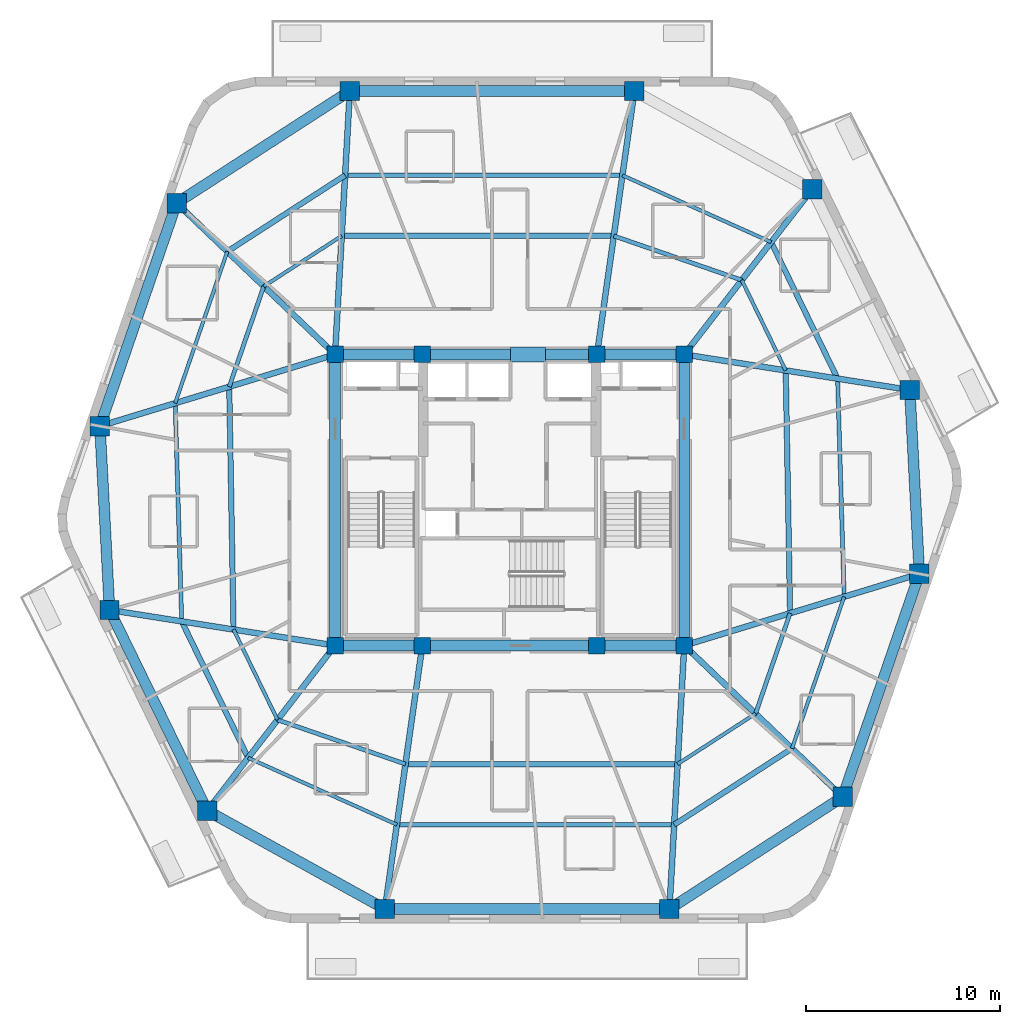
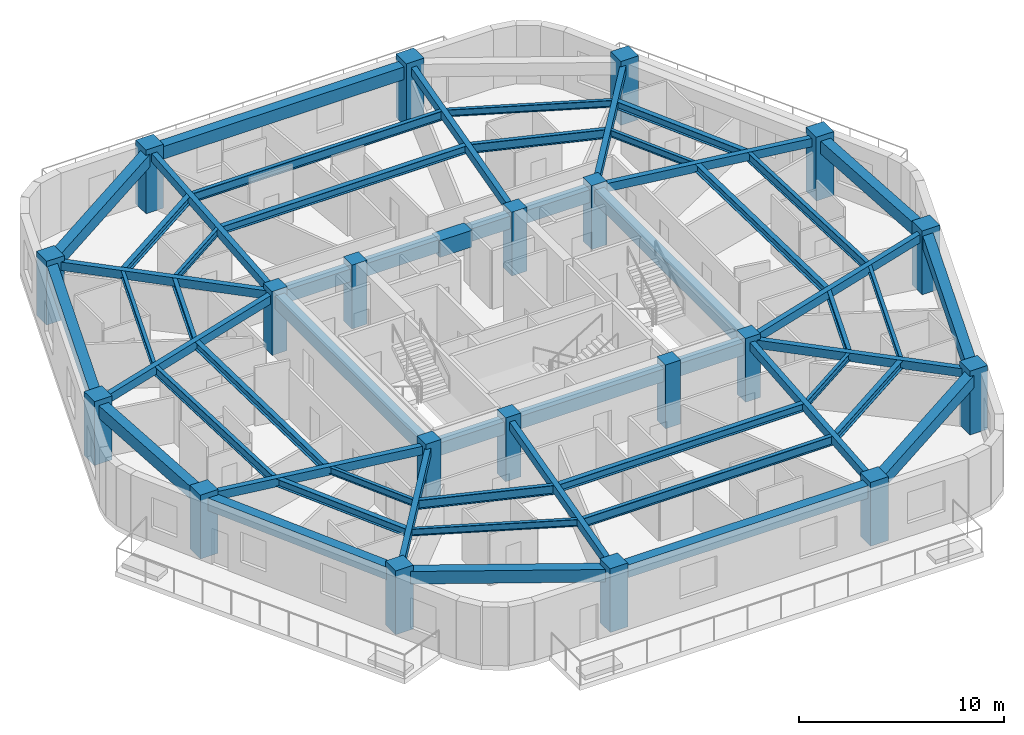
# One storey, part 1 of 10: 55 beams, 20 columns.
"""IFC4 building model written with IfcOpenShell, lengths in metres."""

from ifc_helpers import new_model, si_unit, direction, frame, origin, origin_2d, place, context, subcontext, project, spatial, rectangle, i_section, extrude, material, material_profile, profile_set, type_object, element, save


model = new_model("IFC4")

# Units and contexts
model_context = context("Model", 3, precision=1e-05, world=origin(), true_north=direction((0.0, 1.0)))
body_context = subcontext(model_context, "Body", "Model", "MODEL_VIEW")
ifc_project = project(units=[si_unit("LENGTHUNIT", "METRE"), si_unit("AREAUNIT", "SQUARE_METRE"), si_unit("VOLUMEUNIT", "CUBIC_METRE"), si_unit("PLANEANGLEUNIT", "RADIAN"), si_unit("MASSUNIT", "GRAM", prefix="KILO")], contexts=[model_context])

# Site, building, storey
site_placement = place(None, origin())
site = spatial("IfcSite", under=ifc_project, at=site_placement, CompositionType="ELEMENT")
building_placement = place(site_placement, origin())
building = spatial("IfcBuilding", under=site, at=building_placement, Name="Kilnhurst Terrace Hotel", CompositionType="ELEMENT")
storey_placement = place(building_placement, frame((0.0, 0.0, 252.10009765625)))
storey = spatial("IfcBuildingStorey", under=building, at=storey_placement, Name="L63", CompositionType="ELEMENT", Elevation=252.10009765625)

# Columns
ifc_material_1 = material(Name="Concrete C60/75", Category="concrete")
ifc_material_profile_1 = material_profile(ifc_material_1, rectangle(XDim=1.0, YDim=1.0, at=origin_2d()), Name="RC1000X1000")
ifc_profile_set_1 = profile_set([ifc_material_profile_1], Name="Concrete C60/75")
column_type_1 = type_object("IfcColumnType", Name="COL-RC-1000", PredefinedType="COLUMN", material=ifc_profile_set_1)
for number, where, z_axis, x_axis, name in (
    (1, (-6.429931640625, -21.080078125, 0.0), (0.0, 0.0, 1.0), (1.0, 0.0, 0.0), "L63 Structural Column PC-F11"),
    (2, (8.236083984375, -21.080078125, 0.0), (0.0, 0.0, 1.0), (1.0, 0.0, 0.0), "L63 Structural Column PC-F12"),
    (3, (17.166015625, -15.303955078125, 0.0), (0.0, 0.0, 1.0), (1.0, 0.0, 0.0), "L63 Structural Column PC-F21"),
    (4, (21.117919921875, -3.806884765625, 0.0), (0.0, 0.0, 1.0), (1.0, 0.0, 0.0), "L63 Structural Column PC-F22"),
    (5, (20.6220703125, 5.669921875, 0.0), (0.0, 0.0, 1.0), (1.0, 0.0, 0.0), "L63 Structural Column PC-F31"),
    (6, (15.5869140625, 16.012939453125, 0.0), (0.0, 0.0, 1.0), (1.0, 0.0, 0.0), "L63 Structural Column PC-F32"),
    (7, (6.429931640625, 21.080078125, 0.0), (0.0, 0.0, 1.0), (1.0, 0.0, 0.0), "L63 Structural Column PC-F41"),
    (8, (-8.236083984375, 21.080078125, 0.0), (0.0, 0.0, 1.0), (1.0, 0.0, 0.0), "L63 Structural Column PC-F42"),
    (9, (-17.166015625, 15.303955078125, 0.0), (0.0, 0.0, 1.0), (1.0, 0.0, 0.0), "L63 Structural Column PC-F51"),
    (10, (-21.117919921875, 3.806884765625, 0.0), (0.0, 0.0, 1.0), (1.0, 0.0, 0.0), "L63 Structural Column PC-F52"),
    (11, (-20.6220703125, -5.669921875, 0.0), (0.0, 0.0, 1.0), (1.0, 0.0, 0.0), "L63 Structural Column PC-F61"),
    (12, (-15.5869140625, -16.012939453125, 0.0), (0.0, 0.0, 1.0), (1.0, 0.0, 0.0), "L63 Structural Column PC-F62"),
):
    element("IfcColumn", number, at=place(storey_placement, frame(where, z_axis=z_axis, x_axis=x_axis)), inside=storey, type_object=column_type_1, Name=name, PredefinedType="COLUMN", context=body_context, shape_type="SweptSolid", body=[
        extrude(rectangle(XDim=1.0, YDim=1.0, at=origin_2d()), origin(), (0.0, 0.0, 1.0), 3.7998046875),
    ])
ifc_material_profile_2 = material_profile(ifc_material_1, rectangle(XDim=0.85009765625, YDim=0.85009765625, at=origin_2d()), Name="RC850X850")
ifc_profile_set_2 = profile_set([ifc_material_profile_2], Name="Concrete C60/75")
column_type_2 = type_object("IfcColumnType", Name="COL-RC-850", PredefinedType="COLUMN", material=ifc_profile_set_2)
for number, where, z_axis, x_axis, name in (
    (13, (-9.0, -7.5, 0.0), (0.0, 0.0, 1.0), (1.0, 0.0, 0.0), "L63 Structural Column CC-SW"),
    (14, (-4.5, -7.5, 0.0), (0.0, 0.0, 1.0), (1.0, 0.0, 0.0), "L63 Structural Column CC-SC1"),
    (15, (4.5, -7.5, 0.0), (0.0, 0.0, 1.0), (1.0, 0.0, 0.0), "L63 Structural Column CC-SC2"),
    (16, (9.0, -7.5, 0.0), (0.0, 0.0, 1.0), (1.0, 0.0, 0.0), "L63 Structural Column CC-SE"),
    (17, (9.0, 7.5, 0.0), (0.0, 0.0, 1.0), (1.0, 0.0, 0.0), "L63 Structural Column CC-NE"),
    (18, (4.5, 7.5, 0.0), (0.0, 0.0, 1.0), (1.0, 0.0, 0.0), "L63 Structural Column CC-NC2"),
    (19, (-4.5, 7.5, 0.0), (0.0, 0.0, 1.0), (1.0, 0.0, 0.0), "L63 Structural Column CC-NC1"),
    (20, (-9.0, 7.5, 0.0), (0.0, 0.0, 1.0), (1.0, 0.0, 0.0), "L63 Structural Column CC-NW"),
):
    element("IfcColumn", number, at=place(storey_placement, frame(where, z_axis=z_axis, x_axis=x_axis)), inside=storey, type_object=column_type_2, Name=name, PredefinedType="COLUMN", context=body_context, shape_type="SweptSolid", body=[
        extrude(rectangle(XDim=0.85009765625, YDim=0.85009765625, at=origin_2d()), origin(), (0.0, 0.0, 1.0), 3.7998046875),
    ])

# Beams
ifc_material_2 = material(Name="Concrete C50/60", Category="concrete")
ifc_material_profile_3 = material_profile(ifc_material_2, rectangle(XDim=0.300048828125, YDim=0.5, at=origin_2d()), Name="RC300X500")
ifc_profile_set_3 = profile_set([ifc_material_profile_3], Name="Concrete C50/60")
beam_type_1 = type_object("IfcBeamType", Name="BM-RAD-300X500", PredefinedType="BEAM", material=ifc_profile_set_3)
beam_1_placement = place(storey_placement, frame((-4.5, -7.5, 3.22998046875), z_axis=(-0.140701170889, -0.990052109997, 0.0), x_axis=(0.990052109997, -0.140701170889, 0.0)))
element("IfcBeam", 21, at=beam_1_placement, inside=storey, type_object=beam_type_1, Name="L63 Radial Floor Beam 1", PredefinedType="BEAM", context=body_context, shape_type="SweptSolid", body=[
    extrude(rectangle(XDim=0.300048828125, YDim=0.5, at=origin_2d()), origin(), (0.0, 0.0, 1.0), 13.716552734375),
])
beam_2_placement = place(storey_placement, frame((9.0, -7.5, 3.22998046875), z_axis=(-0.056163905291, -0.998421562138, 0.0), x_axis=(0.998421562138, -0.056163905291, 0.0)))
element("IfcBeam", 22, at=beam_2_placement, inside=storey, type_object=beam_type_1, Name="L63 Radial Floor Beam 2", PredefinedType="BEAM", context=body_context, shape_type="SweptSolid", body=[
    extrude(rectangle(XDim=0.300048828125, YDim=0.5, at=origin_2d()), origin(), (0.0, 0.0, 1.0), 13.6015625),
])
beam_3_placement = place(storey_placement, frame((9.0, -7.5, 3.22998046875), z_axis=(0.722952064528, -0.690898192497, 0.0), x_axis=(0.690898192497, 0.722952064528, 0.0)))
element("IfcBeam", 23, at=beam_3_placement, inside=storey, type_object=beam_type_1, Name="L63 Radial Floor Beam 3", PredefinedType="BEAM", context=body_context, shape_type="SweptSolid", body=[
    extrude(rectangle(XDim=0.300048828125, YDim=0.5, at=origin_2d()), origin(), (0.0, 0.0, 1.0), 11.29541015625),
])
beam_4_placement = place(storey_placement, frame((9.0, -7.5, 3.22998046875), z_axis=(0.956562713724, 0.291526627793, 0.0), x_axis=(-0.291526627793, 0.956562713724, 0.0)))
element("IfcBeam", 24, at=beam_4_placement, inside=storey, type_object=beam_type_1, Name="L63 Radial Floor Beam 4", PredefinedType="BEAM", context=body_context, shape_type="SweptSolid", body=[
    extrude(rectangle(XDim=0.300048828125, YDim=0.5, at=origin_2d()), origin(), (0.0, 0.0, 1.0), 12.668212890625),
])
beam_5_placement = place(storey_placement, frame((9.0, 7.5, 3.22998046875), z_axis=(0.987828160163, -0.155549111179, 0.0), x_axis=(0.155549111179, 0.987828160163, 0.0)))
element("IfcBeam", 25, at=beam_5_placement, inside=storey, type_object=beam_type_1, Name="L63 Radial Floor Beam 5", PredefinedType="BEAM", context=body_context, shape_type="SweptSolid", body=[
    extrude(rectangle(XDim=0.300048828125, YDim=0.5, at=origin_2d()), origin(), (0.0, 0.0, 1.0), 11.765380859375),
])
beam_6_placement = place(storey_placement, frame((9.0, 7.5, 3.22998046875), z_axis=(0.611955412533, 0.790892263884, 0.0), x_axis=(-0.790892263884, 0.611955412533, 0.0)))
element("IfcBeam", 26, at=beam_6_placement, inside=storey, type_object=beam_type_1, Name="L63 Radial Floor Beam 6", PredefinedType="BEAM", context=body_context, shape_type="SweptSolid", body=[
    extrude(rectangle(XDim=0.300048828125, YDim=0.5, at=origin_2d()), origin(), (0.0, 0.0, 1.0), 10.763671875),
])
beam_7_placement = place(storey_placement, frame((4.5, 7.5, 3.22998046875), z_axis=(0.140701170889, 0.990052109997, 0.0), x_axis=(-0.990052109997, 0.140701170889, 0.0)))
element("IfcBeam", 27, at=beam_7_placement, inside=storey, type_object=beam_type_1, Name="L63 Radial Floor Beam 7", PredefinedType="BEAM", context=body_context, shape_type="SweptSolid", body=[
    extrude(rectangle(XDim=0.300048828125, YDim=0.5, at=origin_2d()), origin(), (0.0, 0.0, 1.0), 13.716552734375),
])
beam_8_placement = place(storey_placement, frame((-9.0, 7.5, 3.22998046875), z_axis=(0.056163905291, 0.998421562138, 0.0), x_axis=(-0.998421562138, 0.056163905291, 0.0)))
element("IfcBeam", 28, at=beam_8_placement, inside=storey, type_object=beam_type_1, Name="L63 Radial Floor Beam 8", PredefinedType="BEAM", context=body_context, shape_type="SweptSolid", body=[
    extrude(rectangle(XDim=0.300048828125, YDim=0.5, at=origin_2d()), origin(), (0.0, 0.0, 1.0), 13.6015625),
])
beam_9_placement = place(storey_placement, frame((-9.0, 7.5, 3.22998046875), z_axis=(-0.722952064528, 0.690898192497, 0.0), x_axis=(-0.690898192497, -0.722952064528, 0.0)))
element("IfcBeam", 29, at=beam_9_placement, inside=storey, type_object=beam_type_1, Name="L63 Radial Floor Beam 9", PredefinedType="BEAM", context=body_context, shape_type="SweptSolid", body=[
    extrude(rectangle(XDim=0.300048828125, YDim=0.5, at=origin_2d()), origin(), (0.0, 0.0, 1.0), 11.29541015625),
])
beam_10_placement = place(storey_placement, frame((-9.0, 7.5, 3.22998046875), z_axis=(-0.956562713724, -0.291526627793, 0.0), x_axis=(0.291526627793, -0.956562713724, 0.0)))
element("IfcBeam", 30, at=beam_10_placement, inside=storey, type_object=beam_type_1, Name="L63 Radial Floor Beam 10", PredefinedType="BEAM", context=body_context, shape_type="SweptSolid", body=[
    extrude(rectangle(XDim=0.300048828125, YDim=0.5, at=origin_2d()), origin(), (0.0, 0.0, 1.0), 12.668212890625),
])
beam_11_placement = place(storey_placement, frame((-9.0, -7.5, 3.22998046875), z_axis=(-0.987828160163, 0.155549111179, 0.0), x_axis=(-0.155549111179, -0.987828160163, 0.0)))
element("IfcBeam", 31, at=beam_11_placement, inside=storey, type_object=beam_type_1, Name="L63 Radial Floor Beam 11", PredefinedType="BEAM", context=body_context, shape_type="SweptSolid", body=[
    extrude(rectangle(XDim=0.300048828125, YDim=0.5, at=origin_2d()), origin(), (0.0, 0.0, 1.0), 11.765380859375),
])
beam_12_placement = place(storey_placement, frame((-9.0, -7.5, 3.22998046875), z_axis=(-0.611955412533, -0.790892263884, 0.0), x_axis=(0.790892263884, -0.611955412533, 0.0)))
element("IfcBeam", 32, at=beam_12_placement, inside=storey, type_object=beam_type_1, Name="L63 Radial Floor Beam 12", PredefinedType="BEAM", context=body_context, shape_type="SweptSolid", body=[
    extrude(rectangle(XDim=0.300048828125, YDim=0.5, at=origin_2d()), origin(), (0.0, 0.0, 1.0), 10.763671875),
])
ifc_material_profile_4 = material_profile(ifc_material_2, rectangle(XDim=0.550048828125, YDim=0.75, at=origin_2d()), Name="RC550X750")
ifc_profile_set_4 = profile_set([ifc_material_profile_4], Name="Concrete C50/60")
beam_type_2 = type_object("IfcBeamType", Name="BM-SPN-550X750", PredefinedType="SPANDREL", material=ifc_profile_set_4)
beam_13_placement = place(storey_placement, frame((-9.0, 7.5, 3.10498046875), z_axis=(1.0, 0.0, 0.0), x_axis=(0.0, 1.0, 0.0)))
element("IfcBeam", 33, at=beam_13_placement, inside=storey, type_object=beam_type_2, Name="L63 Core Tie Beam CC-NW to CC-NC1", PredefinedType="SPANDREL", context=body_context, shape_type="SweptSolid", body=[
    extrude(rectangle(XDim=0.550048828125, YDim=0.75, at=origin_2d()), origin(), (0.0, 0.0, 1.0), 4.5),
])
beam_14_placement = place(storey_placement, frame((-4.5, 7.5, 3.10498046875), z_axis=(1.0, 0.0, 0.0), x_axis=(0.0, 1.0, 0.0)))
element("IfcBeam", 34, at=beam_14_placement, inside=storey, type_object=beam_type_2, Name="L63 Core Tie Beam CC-NC1 to CC-NC2", PredefinedType="SPANDREL", context=body_context, shape_type="SweptSolid", body=[
    extrude(rectangle(XDim=0.550048828125, YDim=0.75, at=origin_2d()), origin(), (0.0, 0.0, 1.0), 9.0),
])
for number, where, z_axis, x_axis, name in (
    (35, (4.5, 7.5, 3.10498046875), (1.0, 0.0, 0.0), (0.0, 1.0, 0.0), "L63 Core Tie Beam CC-NC2 to CC-NE"),
    (36, (-9.0, -7.5, 3.10498046875), (1.0, 0.0, 0.0), (0.0, 1.0, 0.0), "L63 Core Tie Beam CC-SW to CC-SC1"),
):
    element("IfcBeam", number, at=place(storey_placement, frame(where, z_axis=z_axis, x_axis=x_axis)), inside=storey, type_object=beam_type_2, Name=name, PredefinedType="SPANDREL", context=body_context, shape_type="SweptSolid", body=[
        extrude(rectangle(XDim=0.550048828125, YDim=0.75, at=origin_2d()), origin(), (0.0, 0.0, 1.0), 4.5),
    ])
beam_15_placement = place(storey_placement, frame((-4.5, -7.5, 3.10498046875), z_axis=(1.0, 0.0, 0.0), x_axis=(0.0, 1.0, 0.0)))
element("IfcBeam", 37, at=beam_15_placement, inside=storey, type_object=beam_type_2, Name="L63 Core Tie Beam CC-SC1 to CC-SC2", PredefinedType="SPANDREL", context=body_context, shape_type="SweptSolid", body=[
    extrude(rectangle(XDim=0.550048828125, YDim=0.75, at=origin_2d()), origin(), (0.0, 0.0, 1.0), 9.0),
])
beam_16_placement = place(storey_placement, frame((4.5, -7.5, 3.10498046875), z_axis=(1.0, 0.0, 0.0), x_axis=(0.0, 1.0, 0.0)))
element("IfcBeam", 38, at=beam_16_placement, inside=storey, type_object=beam_type_2, Name="L63 Core Tie Beam CC-SC2 to CC-SE", PredefinedType="SPANDREL", context=body_context, shape_type="SweptSolid", body=[
    extrude(rectangle(XDim=0.550048828125, YDim=0.75, at=origin_2d()), origin(), (0.0, 0.0, 1.0), 4.5),
])
for number, where, z_axis, x_axis, name in (
    (39, (-9.0, -7.5, 3.10498046875), (0.0, 1.0, 0.0), (-1.0, 0.0, 0.0), "L63 Core Tie Beam CC-SW to CC-NW"),
    (40, (9.0, -7.5, 3.10498046875), (0.0, 1.0, 0.0), (-1.0, 0.0, 0.0), "L63 Core Tie Beam CC-SE to CC-NE"),
):
    element("IfcBeam", number, at=place(storey_placement, frame(where, z_axis=z_axis, x_axis=x_axis)), inside=storey, type_object=beam_type_2, Name=name, PredefinedType="SPANDREL", context=body_context, shape_type="SweptSolid", body=[
        extrude(rectangle(XDim=0.550048828125, YDim=0.75, at=origin_2d()), origin(), (0.0, 0.0, 1.0), 15.0),
    ])
beam_17_placement = place(storey_placement, frame((-6.429931640625, -21.080078125, 3.10498046875), z_axis=(1.0, 0.0, 0.0), x_axis=(0.0, 1.0, 0.0)))
element("IfcBeam", 41, at=beam_17_placement, inside=storey, type_object=beam_type_2, Name="L63 Perimeter Spandrel Beam 1", PredefinedType="SPANDREL", context=body_context, shape_type="SweptSolid", body=[
    extrude(rectangle(XDim=0.550048828125, YDim=0.75, at=origin_2d()), origin(), (0.0, 0.0, 1.0), 14.666015625),
])
beam_18_placement = place(storey_placement, frame((8.236083984375, -21.080078125, 3.10498046875), z_axis=(0.839658834217, 0.543114207254, 0.0), x_axis=(-0.543114207254, 0.839658834217, 0.0)))
element("IfcBeam", 42, at=beam_18_placement, inside=storey, type_object=beam_type_2, Name="L63 Perimeter Spandrel Beam 2", PredefinedType="SPANDREL", context=body_context, shape_type="SweptSolid", body=[
    extrude(rectangle(XDim=0.550048828125, YDim=0.75, at=origin_2d()), origin(), (0.0, 0.0, 1.0), 10.63525390625),
])
beam_19_placement = place(storey_placement, frame((17.166015625, -15.303955078125, 3.10498046875), z_axis=(0.325064053802, 0.94569200109, 0.0), x_axis=(-0.94569200109, 0.325064053802, 0.0)))
element("IfcBeam", 43, at=beam_19_placement, inside=storey, type_object=beam_type_2, Name="L63 Perimeter Spandrel Beam 3", PredefinedType="SPANDREL", context=body_context, shape_type="SweptSolid", body=[
    extrude(rectangle(XDim=0.550048828125, YDim=0.75, at=origin_2d()), origin(), (0.0, 0.0, 1.0), 12.1572265625),
])
beam_20_placement = place(storey_placement, frame((21.117919921875, -3.806884765625, 3.10498046875), z_axis=(-0.052250962837, 0.998633985443, 0.0), x_axis=(-0.998633985443, -0.052250962837, 0.0)))
element("IfcBeam", 44, at=beam_20_placement, inside=storey, type_object=beam_type_2, Name="L63 Perimeter Spandrel Beam 4", PredefinedType="SPANDREL", context=body_context, shape_type="SweptSolid", body=[
    extrude(rectangle(XDim=0.550048828125, YDim=0.75, at=origin_2d()), origin(), (0.0, 0.0, 1.0), 9.48974609375),
])
beam_21_placement = place(storey_placement, frame((6.429931640625, 21.080078125, 3.10498046875), z_axis=(-1.0, 0.0, 0.0), x_axis=(0.0, -1.0, 0.0)))
element("IfcBeam", 45, at=beam_21_placement, inside=storey, type_object=beam_type_2, Name="L63 Perimeter Spandrel Beam 7", PredefinedType="SPANDREL", context=body_context, shape_type="SweptSolid", body=[
    extrude(rectangle(XDim=0.550048828125, YDim=0.75, at=origin_2d()), origin(), (0.0, 0.0, 1.0), 14.666015625),
])
beam_22_placement = place(storey_placement, frame((-8.236083984375, 21.080078125, 3.10498046875), z_axis=(-0.839658834217, -0.543114207254, 0.0), x_axis=(0.543114207254, -0.839658834217, 0.0)))
element("IfcBeam", 46, at=beam_22_placement, inside=storey, type_object=beam_type_2, Name="L63 Perimeter Spandrel Beam 8", PredefinedType="SPANDREL", context=body_context, shape_type="SweptSolid", body=[
    extrude(rectangle(XDim=0.550048828125, YDim=0.75, at=origin_2d()), origin(), (0.0, 0.0, 1.0), 10.63525390625),
])
beam_23_placement = place(storey_placement, frame((-17.166015625, 15.303955078125, 3.10498046875), z_axis=(-0.325064053802, -0.94569200109, 0.0), x_axis=(0.94569200109, -0.325064053802, 0.0)))
element("IfcBeam", 47, at=beam_23_placement, inside=storey, type_object=beam_type_2, Name="L63 Perimeter Spandrel Beam 9", PredefinedType="SPANDREL", context=body_context, shape_type="SweptSolid", body=[
    extrude(rectangle(XDim=0.550048828125, YDim=0.75, at=origin_2d()), origin(), (0.0, 0.0, 1.0), 12.1572265625),
])
beam_24_placement = place(storey_placement, frame((-21.117919921875, 3.806884765625, 3.10498046875), z_axis=(0.052250962837, -0.998633985443, 0.0), x_axis=(0.998633985443, 0.052250962837, 0.0)))
element("IfcBeam", 48, at=beam_24_placement, inside=storey, type_object=beam_type_2, Name="L63 Perimeter Spandrel Beam 10", PredefinedType="SPANDREL", context=body_context, shape_type="SweptSolid", body=[
    extrude(rectangle(XDim=0.550048828125, YDim=0.75, at=origin_2d()), origin(), (0.0, 0.0, 1.0), 9.48974609375),
])
beam_25_placement = place(storey_placement, frame((-20.6220703125, -5.669921875, 3.10498046875), z_axis=(0.437705964683, -0.899118172701, 0.0), x_axis=(0.899118172701, 0.437705964683, 0.0)))
element("IfcBeam", 49, at=beam_25_placement, inside=storey, type_object=beam_type_2, Name="L63 Perimeter Spandrel Beam 11", PredefinedType="SPANDREL", context=body_context, shape_type="SweptSolid", body=[
    extrude(rectangle(XDim=0.550048828125, YDim=0.75, at=origin_2d()), origin(), (0.0, 0.0, 1.0), 11.50341796875),
])
beam_26_placement = place(storey_placement, frame((-15.5869140625, -16.012939453125, 3.10498046875), z_axis=(0.874970333121, -0.484176534085, 0.0), x_axis=(0.484176534085, 0.874970333121, 0.0)))
element("IfcBeam", 50, at=beam_26_placement, inside=storey, type_object=beam_type_2, Name="L63 Perimeter Spandrel Beam 12", PredefinedType="SPANDREL", context=body_context, shape_type="SweptSolid", body=[
    extrude(rectangle(XDim=0.550048828125, YDim=0.75, at=origin_2d()), origin(), (0.0, 0.0, 1.0), 10.465576171875),
])
ifc_material_3 = material(Name="Steel ASTM A992 Grade 50", Category="steel")
ifc_material_profile_5 = material_profile(ifc_material_3, i_section(OverallWidth=0.180908203125, OverallDepth=0.417236328125, WebThickness=0.010986328125, FlangeThickness=0.018310546875, at=origin_2d()), Name="W16X57")
ifc_profile_set_5 = profile_set([ifc_material_profile_5], Name="Steel ASTM A992 Grade 50")
beam_type_3 = type_object("IfcBeamType", Name="JST-STL-W16X57", PredefinedType="JOIST", material=ifc_profile_set_5)
beam_27_placement = place(storey_placement, frame((14.552978515625, -12.806640625, 3.27099609375), z_axis=(0.325064911916, 0.945691706129, 0.0), x_axis=(-0.945691706129, 0.325064911916, 0.0)))
element("IfcBeam", 51, at=beam_27_placement, inside=storey, type_object=beam_type_3, Name="L63 Secondary Floor Steel Joist OUT.3", PredefinedType="JOIST", context=body_context, shape_type="SweptSolid", body=[
    extrude(i_section(OverallWidth=0.180908203125, OverallDepth=0.417236328125, WebThickness=0.010986328125, FlangeThickness=0.018310546875, at=origin_2d()), origin(), (0.0, 0.0, 1.0), 8.266845703125),
])
beam_28_placement = place(storey_placement, frame((13.479248046875, 13.288818359375, 3.27099609375), z_axis=(-0.912120852375, 0.409921395713, 0.0), x_axis=(-0.409921395713, -0.912120852375, 0.0)))
element("IfcBeam", 52, at=beam_28_placement, inside=storey, type_object=beam_type_3, Name="L63 Secondary Floor Steel Joist OUT.6", PredefinedType="JOIST", context=body_context, shape_type="SweptSolid", body=[
    extrude(i_section(OverallWidth=0.180908203125, OverallDepth=0.417236328125, WebThickness=0.010986328125, FlangeThickness=0.018310546875, at=origin_2d()), origin(), (0.0, 0.0, 1.0), 8.405517578125),
])
beam_29_placement = place(storey_placement, frame((-14.552978515625, 12.806640625, 3.27099609375), z_axis=(-0.325064911916, -0.945691706129, 0.0), x_axis=(0.945691706129, -0.325064911916, 0.0)))
element("IfcBeam", 53, at=beam_29_placement, inside=storey, type_object=beam_type_3, Name="L63 Secondary Floor Steel Joist OUT.9", PredefinedType="JOIST", context=body_context, shape_type="SweptSolid", body=[
    extrude(i_section(OverallWidth=0.180908203125, OverallDepth=0.417236328125, WebThickness=0.010986328125, FlangeThickness=0.018310546875, at=origin_2d()), origin(), (0.0, 0.0, 1.0), 8.266845703125),
])
beam_30_placement = place(storey_placement, frame((-13.479248046875, -13.288818359375, 3.27099609375), z_axis=(0.912120852375, -0.409921395713, 0.0), x_axis=(0.409921395713, 0.912120852375, 0.0)))
element("IfcBeam", 54, at=beam_30_placement, inside=storey, type_object=beam_type_3, Name="L63 Secondary Floor Steel Joist OUT.12", PredefinedType="JOIST", context=body_context, shape_type="SweptSolid", body=[
    extrude(i_section(OverallWidth=0.180908203125, OverallDepth=0.417236328125, WebThickness=0.010986328125, FlangeThickness=0.018310546875, at=origin_2d()), origin(), (0.0, 0.0, 1.0), 8.405517578125),
])
beam_31_placement = place(storey_placement, frame((8.65625, -13.611083984375, 3.27099609375), z_axis=(0.839653632344, 0.543122249306, 0.0), x_axis=(-0.543122249306, 0.839653632344, 0.0)))
element("IfcBeam", 55, at=beam_31_placement, inside=storey, type_object=beam_type_3, Name="L63 Secondary Floor Steel Joist IN.2", PredefinedType="JOIST", context=body_context, shape_type="SweptSolid", body=[
    extrude(i_section(OverallWidth=0.180908203125, OverallDepth=0.417236328125, WebThickness=0.010986328125, FlangeThickness=0.018310546875, at=origin_2d()), origin(), (0.0, 0.0, 1.0), 4.785888671875),
])
beam_32_placement = place(storey_placement, frame((14.22998046875, 6.676513671875, 3.27099609375), z_axis=(-0.437718230281, 0.899112201496, 0.0), x_axis=(-0.899112201496, -0.437718230281, 0.0)))
element("IfcBeam", 56, at=beam_32_placement, inside=storey, type_object=beam_type_3, Name="L63 Secondary Floor Steel Joist IN.5", PredefinedType="JOIST", context=body_context, shape_type="SweptSolid", body=[
    extrude(i_section(OverallWidth=0.180908203125, OverallDepth=0.417236328125, WebThickness=0.010986328125, FlangeThickness=0.018310546875, at=origin_2d()), origin(), (0.0, 0.0, 1.0), 5.176513671875),
])
beam_33_placement = place(storey_placement, frame((-8.65625, 13.611083984375, 3.27099609375), z_axis=(-0.839653632344, -0.543122249306, 0.0), x_axis=(0.543122249306, -0.839653632344, 0.0)))
element("IfcBeam", 57, at=beam_33_placement, inside=storey, type_object=beam_type_3, Name="L63 Secondary Floor Steel Joist IN.8", PredefinedType="JOIST", context=body_context, shape_type="SweptSolid", body=[
    extrude(i_section(OverallWidth=0.180908203125, OverallDepth=0.417236328125, WebThickness=0.010986328125, FlangeThickness=0.018310546875, at=origin_2d()), origin(), (0.0, 0.0, 1.0), 4.785888671875),
])
beam_34_placement = place(storey_placement, frame((-14.22998046875, -6.676513671875, 3.27099609375), z_axis=(0.437718230281, -0.899112201496, 0.0), x_axis=(0.899112201496, 0.437718230281, 0.0)))
element("IfcBeam", 58, at=beam_34_placement, inside=storey, type_object=beam_type_3, Name="L63 Secondary Floor Steel Joist IN.11", PredefinedType="JOIST", context=body_context, shape_type="SweptSolid", body=[
    extrude(i_section(OverallWidth=0.180908203125, OverallDepth=0.417236328125, WebThickness=0.010986328125, FlangeThickness=0.018310546875, at=origin_2d()), origin(), (0.0, 0.0, 1.0), 5.176513671875),
])
ifc_material_profile_6 = material_profile(ifc_material_3, i_section(OverallWidth=0.279296875, OverallDepth=0.462890625, WebThickness=0.0107421875, FlangeThickness=0.017333984375, at=origin_2d()), Name="W18X76")
ifc_profile_set_6 = profile_set([ifc_material_profile_6], Name="Steel ASTM A992 Grade 50")
beam_type_4 = type_object("IfcBeamType", Name="JST-STL-W18X76", PredefinedType="JOIST", material=ifc_profile_set_6)
beam_35_placement = place(storey_placement, frame((8.48046875, -16.734375, 3.247802734375), z_axis=(0.839667054453, 0.543101498494, 0.0), x_axis=(-0.543101498494, 0.839667054453, 0.0)))
element("IfcBeam", 59, at=beam_35_placement, inside=storey, type_object=beam_type_4, Name="L63 Secondary Floor Steel Joist OUT.2", PredefinedType="JOIST", context=body_context, shape_type="SweptSolid", body=[
    extrude(i_section(OverallWidth=0.279296875, OverallDepth=0.462890625, WebThickness=0.0107421875, FlangeThickness=0.017333984375, at=origin_2d()), origin(), (0.0, 0.0, 1.0), 7.23193359375),
])
beam_36_placement = place(storey_placement, frame((16.903076171875, 6.255615234375, 3.247802734375), z_axis=(-0.437700347277, 0.899120907328, 0.0), x_axis=(-0.899120907328, -0.437700347277, 0.0)))
element("IfcBeam", 60, at=beam_36_placement, inside=storey, type_object=beam_type_4, Name="L63 Secondary Floor Steel Joist OUT.5", PredefinedType="JOIST", context=body_context, shape_type="SweptSolid", body=[
    extrude(i_section(OverallWidth=0.279296875, OverallDepth=0.462890625, WebThickness=0.0107421875, FlangeThickness=0.017333984375, at=origin_2d()), origin(), (0.0, 0.0, 1.0), 7.822265625),
])
beam_37_placement = place(storey_placement, frame((-8.48046875, 16.734375, 3.247802734375), z_axis=(-0.839667054453, -0.543101498494, 0.0), x_axis=(0.543101498494, -0.839667054453, 0.0)))
element("IfcBeam", 61, at=beam_37_placement, inside=storey, type_object=beam_type_4, Name="L63 Secondary Floor Steel Joist OUT.8", PredefinedType="JOIST", context=body_context, shape_type="SweptSolid", body=[
    extrude(i_section(OverallWidth=0.279296875, OverallDepth=0.462890625, WebThickness=0.0107421875, FlangeThickness=0.017333984375, at=origin_2d()), origin(), (0.0, 0.0, 1.0), 7.23193359375),
])
beam_38_placement = place(storey_placement, frame((-16.903076171875, -6.255615234375, 3.247802734375), z_axis=(0.437700347277, -0.899120907328, 0.0), x_axis=(0.899120907328, 0.437700347277, 0.0)))
element("IfcBeam", 62, at=beam_38_placement, inside=storey, type_object=beam_type_4, Name="L63 Secondary Floor Steel Joist OUT.11", PredefinedType="JOIST", context=body_context, shape_type="SweptSolid", body=[
    extrude(i_section(OverallWidth=0.279296875, OverallDepth=0.462890625, WebThickness=0.0107421875, FlangeThickness=0.017333984375, at=origin_2d()), origin(), (0.0, 0.0, 1.0), 7.822265625),
])
beam_39_placement = place(storey_placement, frame((-5.368408203125, -13.611083984375, 3.247802734375), z_axis=(1.0, 0.0, 0.0), x_axis=(0.0, 1.0, 0.0)))
element("IfcBeam", 63, at=beam_39_placement, inside=storey, type_object=beam_type_4, Name="L63 Secondary Floor Steel Joist IN.1", PredefinedType="JOIST", context=body_context, shape_type="SweptSolid", body=[
    extrude(i_section(OverallWidth=0.279296875, OverallDepth=0.462890625, WebThickness=0.0107421875, FlangeThickness=0.017333984375, at=origin_2d()), origin(), (0.0, 0.0, 1.0), 14.024658203125),
])
beam_40_placement = place(storey_placement, frame((14.453125, -5.838134765625, 3.247802734375), z_axis=(-0.017827833387, 0.999841071549, 0.0), x_axis=(-0.999841071549, -0.017827833387, 0.0)))
element("IfcBeam", 64, at=beam_40_placement, inside=storey, type_object=beam_type_4, Name="L63 Secondary Floor Steel Joist IN.4", PredefinedType="JOIST", context=body_context, shape_type="SweptSolid", body=[
    extrude(i_section(OverallWidth=0.279296875, OverallDepth=0.462890625, WebThickness=0.0107421875, FlangeThickness=0.017333984375, at=origin_2d()), origin(), (0.0, 0.0, 1.0), 12.5166015625),
])
beam_41_placement = place(storey_placement, frame((5.368408203125, 13.611083984375, 3.247802734375), z_axis=(-1.0, 0.0, 0.0), x_axis=(0.0, -1.0, 0.0)))
element("IfcBeam", 65, at=beam_41_placement, inside=storey, type_object=beam_type_4, Name="L63 Secondary Floor Steel Joist IN.7", PredefinedType="JOIST", context=body_context, shape_type="SweptSolid", body=[
    extrude(i_section(OverallWidth=0.279296875, OverallDepth=0.462890625, WebThickness=0.0107421875, FlangeThickness=0.017333984375, at=origin_2d()), origin(), (0.0, 0.0, 1.0), 14.024658203125),
])
beam_42_placement = place(storey_placement, frame((-14.453125, 5.838134765625, 3.247802734375), z_axis=(0.017827833387, -0.999841071549, 0.0), x_axis=(0.999841071549, 0.017827833387, 0.0)))
element("IfcBeam", 66, at=beam_42_placement, inside=storey, type_object=beam_type_4, Name="L63 Secondary Floor Steel Joist IN.10", PredefinedType="JOIST", context=body_context, shape_type="SweptSolid", body=[
    extrude(i_section(OverallWidth=0.279296875, OverallDepth=0.462890625, WebThickness=0.0107421875, FlangeThickness=0.017333984375, at=origin_2d()), origin(), (0.0, 0.0, 1.0), 12.5166015625),
])
ifc_material_profile_7 = material_profile(ifc_material_3, i_section(OverallWidth=0.2138671875, OverallDepth=0.549072265625, WebThickness=0.0146484375, FlangeThickness=0.023681640625, at=origin_2d()), Name="W21X93")
ifc_profile_set_7 = profile_set([ifc_material_profile_7], Name="Steel ASTM A992 Grade 50")
beam_type_5 = type_object("IfcBeamType", Name="JST-STL-W21X93", PredefinedType="JOIST", material=ifc_profile_set_7)
beam_43_placement = place(storey_placement, frame((-5.8125, -16.734375, 3.204833984375), z_axis=(1.0, 0.0, 0.0), x_axis=(0.0, 1.0, 0.0)))
element("IfcBeam", 67, at=beam_43_placement, inside=storey, type_object=beam_type_5, Name="L63 Secondary Floor Steel Joist OUT.1", PredefinedType="JOIST", context=body_context, shape_type="SweptSolid", body=[
    extrude(i_section(OverallWidth=0.2138671875, OverallDepth=0.549072265625, WebThickness=0.0146484375, FlangeThickness=0.023681640625, at=origin_2d()), origin(), (0.0, 0.0, 1.0), 14.29296875),
])
beam_44_placement = place(storey_placement, frame((17.240234375, -4.98876953125, 3.204833984375), z_axis=(-0.029971114202, 0.999550765251, 0.0), x_axis=(-0.999550765251, -0.029971114202, 0.0)))
element("IfcBeam", 68, at=beam_44_placement, inside=storey, type_object=beam_type_5, Name="L63 Secondary Floor Steel Joist OUT.4", PredefinedType="JOIST", context=body_context, shape_type="SweptSolid", body=[
    extrude(i_section(OverallWidth=0.2138671875, OverallDepth=0.549072265625, WebThickness=0.0146484375, FlangeThickness=0.023681640625, at=origin_2d()), origin(), (0.0, 0.0, 1.0), 11.24951171875),
])
beam_45_placement = place(storey_placement, frame((5.8125, 16.734375, 3.204833984375), z_axis=(-1.0, 0.0, 0.0), x_axis=(0.0, -1.0, 0.0)))
element("IfcBeam", 69, at=beam_45_placement, inside=storey, type_object=beam_type_5, Name="L63 Secondary Floor Steel Joist OUT.7", PredefinedType="JOIST", context=body_context, shape_type="SweptSolid", body=[
    extrude(i_section(OverallWidth=0.2138671875, OverallDepth=0.549072265625, WebThickness=0.0146484375, FlangeThickness=0.023681640625, at=origin_2d()), origin(), (0.0, 0.0, 1.0), 14.29296875),
])
beam_46_placement = place(storey_placement, frame((-17.240234375, 4.98876953125, 3.204833984375), z_axis=(0.029971114202, -0.999550765251, 0.0), x_axis=(0.999550765251, 0.029971114202, 0.0)))
element("IfcBeam", 70, at=beam_46_placement, inside=storey, type_object=beam_type_5, Name="L63 Secondary Floor Steel Joist OUT.10", PredefinedType="JOIST", context=body_context, shape_type="SweptSolid", body=[
    extrude(i_section(OverallWidth=0.2138671875, OverallDepth=0.549072265625, WebThickness=0.0146484375, FlangeThickness=0.023681640625, at=origin_2d()), origin(), (0.0, 0.0, 1.0), 11.24951171875),
])
beam_47_placement = place(storey_placement, frame((12.6748046875, -11.01171875, 3.204833984375), z_axis=(0.325063554612, 0.945692172677, 0.0), x_axis=(-0.945692172677, 0.325063554612, 0.0)))
element("IfcBeam", 71, at=beam_47_placement, inside=storey, type_object=beam_type_5, Name="L63 Secondary Floor Steel Joist IN.3", PredefinedType="JOIST", context=body_context, shape_type="SweptSolid", body=[
    extrude(i_section(OverallWidth=0.2138671875, OverallDepth=0.549072265625, WebThickness=0.0146484375, FlangeThickness=0.023681640625, at=origin_2d()), origin(), (0.0, 0.0, 1.0), 5.470703125),
])
beam_48_placement = place(storey_placement, frame((11.964111328125, 11.330810546875, 3.204833984375), z_axis=(-0.94511244231, 0.326745269884, 0.0), x_axis=(-0.326745269884, -0.94511244231, 0.0)))
element("IfcBeam", 72, at=beam_48_placement, inside=storey, type_object=beam_type_5, Name="L63 Secondary Floor Steel Joist IN.6", PredefinedType="JOIST", context=body_context, shape_type="SweptSolid", body=[
    extrude(i_section(OverallWidth=0.2138671875, OverallDepth=0.549072265625, WebThickness=0.0146484375, FlangeThickness=0.023681640625, at=origin_2d()), origin(), (0.0, 0.0, 1.0), 6.978759765625),
])
beam_49_placement = place(storey_placement, frame((-12.6748046875, 11.01171875, 3.204833984375), z_axis=(-0.325063554612, -0.945692172677, 0.0), x_axis=(0.945692172677, -0.325063554612, 0.0)))
element("IfcBeam", 73, at=beam_49_placement, inside=storey, type_object=beam_type_5, Name="L63 Secondary Floor Steel Joist IN.9", PredefinedType="JOIST", context=body_context, shape_type="SweptSolid", body=[
    extrude(i_section(OverallWidth=0.2138671875, OverallDepth=0.549072265625, WebThickness=0.0146484375, FlangeThickness=0.023681640625, at=origin_2d()), origin(), (0.0, 0.0, 1.0), 5.470703125),
])
beam_50_placement = place(storey_placement, frame((-11.964111328125, -11.330810546875, 3.204833984375), z_axis=(0.94511244231, -0.326745269884, 0.0), x_axis=(0.326745269884, 0.94511244231, 0.0)))
element("IfcBeam", 74, at=beam_50_placement, inside=storey, type_object=beam_type_5, Name="L63 Secondary Floor Steel Joist IN.12", PredefinedType="JOIST", context=body_context, shape_type="SweptSolid", body=[
    extrude(i_section(OverallWidth=0.2138671875, OverallDepth=0.549072265625, WebThickness=0.0146484375, FlangeThickness=0.023681640625, at=origin_2d()), origin(), (0.0, 0.0, 1.0), 6.978759765625),
])
ifc_material_profile_8 = material_profile(ifc_material_1, rectangle(XDim=0.75, YDim=1.0, at=origin_2d()), Name="RC750X1000")
ifc_profile_set_8 = profile_set([ifc_material_profile_8], Name="Concrete C60/75")
beam_type_6 = type_object("IfcBeamType", Name="LNT-CB-750X1000", PredefinedType="LINTEL", material=ifc_profile_set_8)
beam_51_placement = place(storey_placement, frame((0.050048828125, 7.5, 2.97998046875), z_axis=(1.0, 0.0, 0.0), x_axis=(0.0, 1.0, 0.0)))
element("IfcBeam", 75, at=beam_51_placement, inside=storey, type_object=beam_type_6, Name="L63 North Core Coupling Link Beam", PredefinedType="LINTEL", context=body_context, shape_type="SweptSolid", body=[
    extrude(rectangle(XDim=0.75, YDim=1.0, at=origin_2d()), origin(), (0.0, 0.0, 1.0), 1.800048828125),
])

save(model, "model.ifc")
